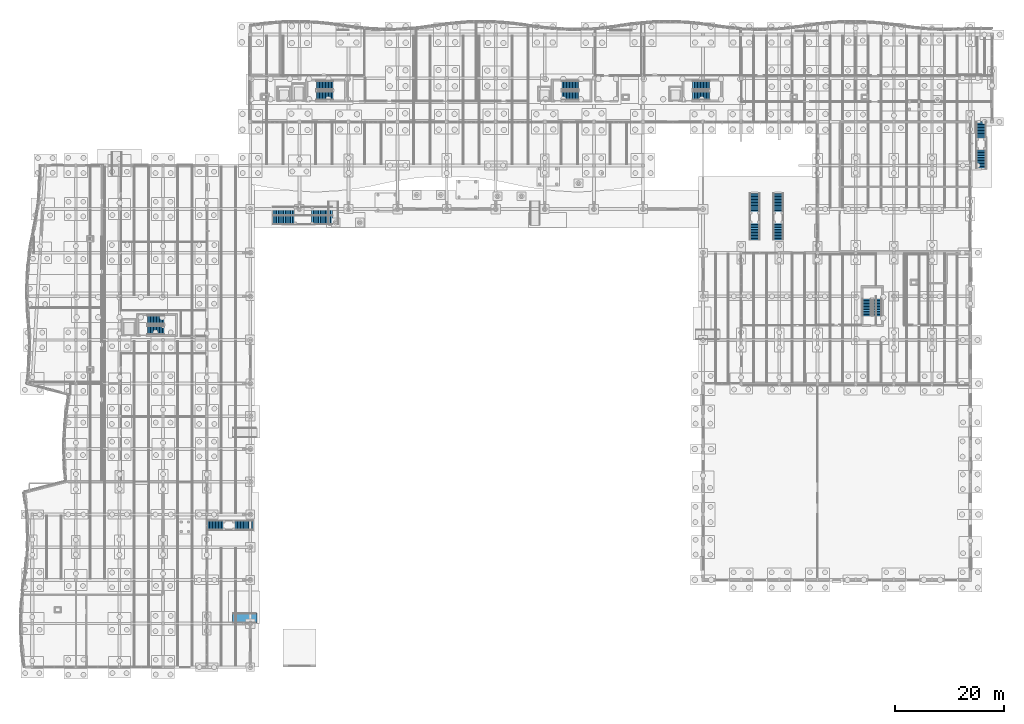
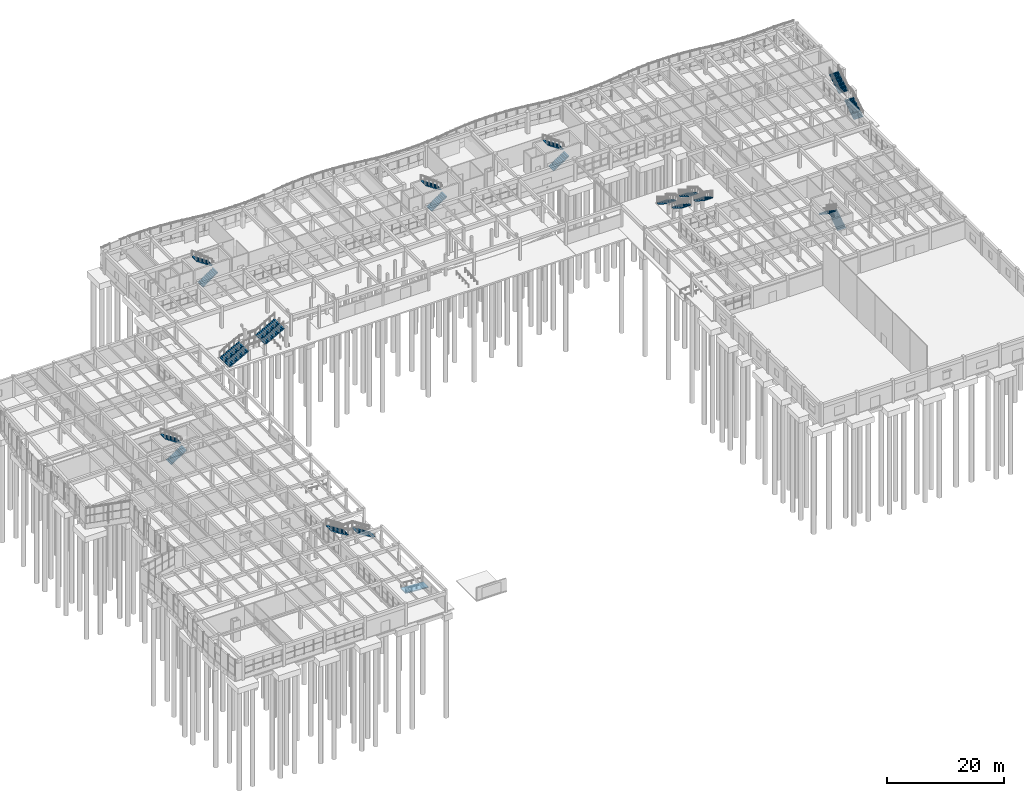
# One storey, part 72 of 99: 22 stair flights, 1 ramp flight, 11 elements without a shape of their own.
"""IFC4 building model written with IfcOpenShell, lengths in metres."""

from ifc_helpers import new_model, si_unit, direction, frame, origin, place, context, subcontext, project, spatial, polyline, outline, extrude, material, layer, layer_set, type_object, element, aggregate, save


model = new_model("IFC4")

# Units and contexts
model_context = context("Model", 3, precision=1e-05, world=origin(), true_north=direction((0.0, 1.0)))
body_context = subcontext(model_context, "Body", "Model", "MODEL_VIEW")
ifc_project = project(units=[si_unit("LENGTHUNIT", "METRE"), si_unit("AREAUNIT", "SQUARE_METRE"), si_unit("VOLUMEUNIT", "CUBIC_METRE"), si_unit("PLANEANGLEUNIT", "RADIAN"), si_unit("MASSUNIT", "GRAM", prefix="KILO")], contexts=[model_context])

# Site, building, storey
site_placement = place(None, origin())
site = spatial("IfcSite", under=ifc_project, at=site_placement, CompositionType="ELEMENT")
building_placement = place(site_placement, origin())
building = spatial("IfcBuilding", under=site, at=building_placement, Name="Tonlespit Floodbar School", CompositionType="ELEMENT")
storey_placement = place(building_placement, origin())
storey = spatial("IfcBuildingStorey", under=building, at=storey_placement, Name="L00", CompositionType="ELEMENT", Elevation=0.0)

# Stair, stair flights
ifc_material_1 = material(Name="Concrete C40/50", Category="concrete")
stair_type_1 = type_object("IfcStairType", Name="Stair_Core_L00", PredefinedType="HALF_TURN_STAIR", material=ifc_material_1)
stair_1_placement = place(storey_placement, origin())
stair_1 = element("IfcStair", 1, at=stair_1_placement, inside=storey, type_object=stair_type_1, Name="L00 Core C1 escape stair", PredefinedType="HALF_TURN_STAIR")
stair_flight_type_1 = type_object("IfcStairFlightType", Name="Flight_Core_L00", PredefinedType="STRAIGHT", material=ifc_material_1)
stair_flight_1_placement = place(storey_placement, frame((56.1201171875, 108.81005859375, 0.0), z_axis=(0.0, 0.0, 1.0), x_axis=(1.0, 0.0, 0.0)))
stair_flight_1 = element("IfcStairFlight", 2, at=stair_flight_1_placement, type_object=stair_flight_type_1, Name="ST-C1 flight 1", NumberOfRisers=12, NumberOfTreads=11, PredefinedType="STRAIGHT", RiserHeight=0.1875, TreadLength=0.28, context=body_context, shape_type="SweptSolid", body=[
    extrude(outline(polyline([(0.0, 0.0), (0.0, 0.1875), (0.280029296875, 0.1875), (0.280029296875, 0.375), (0.56005859375, 0.375), (0.56005859375, 0.5625), (0.840087890625, 0.5625), (0.840087890625, 0.75), (1.1201171875, 0.75), (1.1201171875, 0.9375), (1.39990234375, 0.9375), (1.39990234375, 1.125), (1.679931640625, 1.125), (1.679931640625, 1.3125), (1.9599609375, 1.3125), (1.9599609375, 1.5), (2.239990234375, 1.5), (2.239990234375, 1.6875), (2.52001953125, 1.6875), (2.52001953125, 1.875), (2.800048828125, 1.875), (2.800048828125, 2.0625), (3.080078125, 2.0625), (3.080078125, 2.25), (3.080078125, 1.882080078125), (0.26953125, 0.0), (0.0, 0.0)])), frame((0.0, 0.81005859375, 0.0), z_axis=(0.0, -1.0, 0.0), x_axis=(1.0, 0.0, 0.0)), (0.0, 0.0, 1.0), 1.6201171875),
])
stair_flight_2_placement = place(storey_placement, frame((59.199951171875, 110.72998046875, 2.25), z_axis=(0.0, 0.0, 1.0), x_axis=(-1.0, 0.0, 0.0)))
stair_flight_2 = element("IfcStairFlight", 3, at=stair_flight_2_placement, type_object=stair_flight_type_1, Name="ST-C1 flight 2", NumberOfRisers=12, NumberOfTreads=11, PredefinedType="STRAIGHT", RiserHeight=0.1875, TreadLength=0.28, context=body_context, shape_type="SweptSolid", body=[
    extrude(outline(polyline([(0.0, 0.0), (0.0, 0.1875), (0.280029296875, 0.1875), (0.280029296875, 0.375), (0.56005859375, 0.375), (0.56005859375, 0.5625), (0.840087890625, 0.5625), (0.840087890625, 0.75), (1.1201171875, 0.75), (1.1201171875, 0.9375), (1.39990234375, 0.9375), (1.39990234375, 1.125), (1.679931640625, 1.125), (1.679931640625, 1.3125), (1.9599609375, 1.3125), (1.9599609375, 1.5), (2.239990234375, 1.5), (2.239990234375, 1.6875), (2.52001953125, 1.6875), (2.52001953125, 1.875), (2.800048828125, 1.875), (2.800048828125, 2.0625), (3.080078125, 2.0625), (3.080078125, 2.25), (3.080078125, 1.882080078125), (0.26953125, 0.0), (0.0, 0.0)])), frame((0.0, 0.81005859375, 0.0), z_axis=(0.0, -1.0, 0.0), x_axis=(1.0, 0.0, 0.0)), (0.0, 0.0, 1.0), 1.6201171875),
])
aggregate(stair_1, [stair_flight_1, stair_flight_2])

stair_2_placement = place(storey_placement, origin())
stair_2 = element("IfcStair", 4, at=stair_2_placement, inside=storey, type_object=stair_type_1, Name="L00 Core C2 escape stair", PredefinedType="HALF_TURN_STAIR")
stair_flight_3_placement = place(storey_placement, frame((101.1201171875, 108.81005859375, 0.0), z_axis=(0.0, 0.0, 1.0), x_axis=(1.0, 0.0, 0.0)))
stair_flight_3 = element("IfcStairFlight", 5, at=stair_flight_3_placement, type_object=stair_flight_type_1, Name="ST-C2 flight 1", NumberOfRisers=12, NumberOfTreads=11, PredefinedType="STRAIGHT", RiserHeight=0.1875, TreadLength=0.28, context=body_context, shape_type="SweptSolid", body=[
    extrude(outline(polyline([(0.0, 0.0), (0.0, 0.1875), (0.280029296875, 0.1875), (0.280029296875, 0.375), (0.56005859375, 0.375), (0.56005859375, 0.5625), (0.840087890625, 0.5625), (0.840087890625, 0.75), (1.1201171875, 0.75), (1.1201171875, 0.9375), (1.39990234375, 0.9375), (1.39990234375, 1.125), (1.679931640625, 1.125), (1.679931640625, 1.3125), (1.9599609375, 1.3125), (1.9599609375, 1.5), (2.239990234375, 1.5), (2.239990234375, 1.6875), (2.52001953125, 1.6875), (2.52001953125, 1.875), (2.800048828125, 1.875), (2.800048828125, 2.0625), (3.080078125, 2.0625), (3.080078125, 2.25), (3.080078125, 1.882080078125), (0.26953125, 0.0), (0.0, 0.0)])), frame((0.0, 0.81005859375, 0.0), z_axis=(0.0, -1.0, 0.0), x_axis=(1.0, 0.0, 0.0)), (0.0, 0.0, 1.0), 1.6201171875),
])
stair_flight_4_placement = place(storey_placement, frame((104.199951171875, 110.72998046875, 2.25), z_axis=(0.0, 0.0, 1.0), x_axis=(-1.0, 0.0, 0.0)))
stair_flight_4 = element("IfcStairFlight", 6, at=stair_flight_4_placement, type_object=stair_flight_type_1, Name="ST-C2 flight 2", NumberOfRisers=12, NumberOfTreads=11, PredefinedType="STRAIGHT", RiserHeight=0.1875, TreadLength=0.28, context=body_context, shape_type="SweptSolid", body=[
    extrude(outline(polyline([(0.0, 0.0), (0.0, 0.1875), (0.280029296875, 0.1875), (0.280029296875, 0.375), (0.56005859375, 0.375), (0.56005859375, 0.5625), (0.840087890625, 0.5625), (0.840087890625, 0.75), (1.1201171875, 0.75), (1.1201171875, 0.9375), (1.39990234375, 0.9375), (1.39990234375, 1.125), (1.679931640625, 1.125), (1.679931640625, 1.3125), (1.9599609375, 1.3125), (1.9599609375, 1.5), (2.239990234375, 1.5), (2.239990234375, 1.6875), (2.52001953125, 1.6875), (2.52001953125, 1.875), (2.800048828125, 1.875), (2.800048828125, 2.0625), (3.080078125, 2.0625), (3.080078125, 2.25), (3.080078125, 1.882080078125), (0.26953125, 0.0), (0.0, 0.0)])), frame((0.0, 0.81005859375, 0.0), z_axis=(0.0, -1.0, 0.0), x_axis=(1.0, 0.0, 0.0)), (0.0, 0.0, 1.0), 1.6201171875),
])
aggregate(stair_2, [stair_flight_3, stair_flight_4])

stair_3_placement = place(storey_placement, origin())
stair_3 = element("IfcStair", 7, at=stair_3_placement, inside=storey, type_object=stair_type_1, Name="L00 Core C3 escape stair", PredefinedType="HALF_TURN_STAIR")
stair_flight_5_placement = place(storey_placement, frame((25.1201171875, 65.81005859375, 0.0), z_axis=(0.0, 0.0, 1.0), x_axis=(1.0, 0.0, 0.0)))
stair_flight_5 = element("IfcStairFlight", 8, at=stair_flight_5_placement, type_object=stair_flight_type_1, Name="ST-C3 flight 1", NumberOfRisers=12, NumberOfTreads=11, PredefinedType="STRAIGHT", RiserHeight=0.1875, TreadLength=0.28, context=body_context, shape_type="SweptSolid", body=[
    extrude(outline(polyline([(0.0, 0.0), (0.0, 0.1875), (0.280029296875, 0.1875), (0.280029296875, 0.375), (0.56005859375, 0.375), (0.56005859375, 0.5625), (0.840087890625, 0.5625), (0.840087890625, 0.75), (1.1201171875, 0.75), (1.1201171875, 0.9375), (1.39990234375, 0.9375), (1.39990234375, 1.125), (1.679931640625, 1.125), (1.679931640625, 1.3125), (1.9599609375, 1.3125), (1.9599609375, 1.5), (2.239990234375, 1.5), (2.239990234375, 1.6875), (2.52001953125, 1.6875), (2.52001953125, 1.875), (2.800048828125, 1.875), (2.800048828125, 2.0625), (3.080078125, 2.0625), (3.080078125, 2.25), (3.080078125, 1.882080078125), (0.26953125, 0.0), (0.0, 0.0)])), frame((0.0, 0.81005859375, 0.0), z_axis=(0.0, -1.0, 0.0), x_axis=(1.0, 0.0, 0.0)), (0.0, 0.0, 1.0), 1.6201171875),
])
stair_flight_6_placement = place(storey_placement, frame((28.199951171875, 67.72998046875, 2.25), z_axis=(0.0, 0.0, 1.0), x_axis=(-1.0, 0.0, 0.0)))
stair_flight_6 = element("IfcStairFlight", 9, at=stair_flight_6_placement, type_object=stair_flight_type_1, Name="ST-C3 flight 2", NumberOfRisers=12, NumberOfTreads=11, PredefinedType="STRAIGHT", RiserHeight=0.1875, TreadLength=0.28, context=body_context, shape_type="SweptSolid", body=[
    extrude(outline(polyline([(0.0, 0.0), (0.0, 0.1875), (0.280029296875, 0.1875), (0.280029296875, 0.375), (0.56005859375, 0.375), (0.56005859375, 0.5625), (0.840087890625, 0.5625), (0.840087890625, 0.75), (1.1201171875, 0.75), (1.1201171875, 0.9375), (1.39990234375, 0.9375), (1.39990234375, 1.125), (1.679931640625, 1.125), (1.679931640625, 1.3125), (1.9599609375, 1.3125), (1.9599609375, 1.5), (2.239990234375, 1.5), (2.239990234375, 1.6875), (2.52001953125, 1.6875), (2.52001953125, 1.875), (2.800048828125, 1.875), (2.800048828125, 2.0625), (3.080078125, 2.0625), (3.080078125, 2.25), (3.080078125, 1.882080078125), (0.26953125, 0.0), (0.0, 0.0)])), frame((0.0, 0.81005859375, 0.0), z_axis=(0.0, -1.0, 0.0), x_axis=(1.0, 0.0, 0.0)), (0.0, 0.0, 1.0), 1.6201171875),
])
aggregate(stair_3, [stair_flight_5, stair_flight_6])

stair_4_placement = place(storey_placement, origin())
stair_4 = element("IfcStair", 10, at=stair_4_placement, inside=storey, type_object=stair_type_1, Name="L00 Core C4 escape stair", PredefinedType="HALF_TURN_STAIR")
stair_flight_7_placement = place(storey_placement, frame((125.1201171875, 108.81005859375, 0.0), z_axis=(0.0, 0.0, 1.0), x_axis=(1.0, 0.0, 0.0)))
stair_flight_7 = element("IfcStairFlight", 11, at=stair_flight_7_placement, type_object=stair_flight_type_1, Name="ST-C4 flight 1", NumberOfRisers=12, NumberOfTreads=11, PredefinedType="STRAIGHT", RiserHeight=0.1875, TreadLength=0.28, context=body_context, shape_type="SweptSolid", body=[
    extrude(outline(polyline([(0.0, 0.0), (0.0, 0.1875), (0.280029296875, 0.1875), (0.280029296875, 0.375), (0.56005859375, 0.375), (0.56005859375, 0.5625), (0.840087890625, 0.5625), (0.840087890625, 0.75), (1.1201171875, 0.75), (1.1201171875, 0.9375), (1.39990234375, 0.9375), (1.39990234375, 1.125), (1.679931640625, 1.125), (1.679931640625, 1.3125), (1.9599609375, 1.3125), (1.9599609375, 1.5), (2.239990234375, 1.5), (2.239990234375, 1.6875), (2.52001953125, 1.6875), (2.52001953125, 1.875), (2.800048828125, 1.875), (2.800048828125, 2.0625), (3.080078125, 2.0625), (3.080078125, 2.25), (3.080078125, 1.882080078125), (0.26953125, 0.0), (0.0, 0.0)])), frame((0.0, 0.81005859375, 0.0), z_axis=(0.0, -1.0, 0.0), x_axis=(1.0, 0.0, 0.0)), (0.0, 0.0, 1.0), 1.6201171875),
])
stair_flight_8_placement = place(storey_placement, frame((128.199951171875, 110.72998046875, 2.25), z_axis=(0.0, 0.0, 1.0), x_axis=(-1.0, 0.0, 0.0)))
stair_flight_8 = element("IfcStairFlight", 12, at=stair_flight_8_placement, type_object=stair_flight_type_1, Name="ST-C4 flight 2", NumberOfRisers=12, NumberOfTreads=11, PredefinedType="STRAIGHT", RiserHeight=0.1875, TreadLength=0.28, context=body_context, shape_type="SweptSolid", body=[
    extrude(outline(polyline([(0.0, 0.0), (0.0, 0.1875), (0.280029296875, 0.1875), (0.280029296875, 0.375), (0.56005859375, 0.375), (0.56005859375, 0.5625), (0.840087890625, 0.5625), (0.840087890625, 0.75), (1.1201171875, 0.75), (1.1201171875, 0.9375), (1.39990234375, 0.9375), (1.39990234375, 1.125), (1.679931640625, 1.125), (1.679931640625, 1.3125), (1.9599609375, 1.3125), (1.9599609375, 1.5), (2.239990234375, 1.5), (2.239990234375, 1.6875), (2.52001953125, 1.6875), (2.52001953125, 1.875), (2.800048828125, 1.875), (2.800048828125, 2.0625), (3.080078125, 2.0625), (3.080078125, 2.25), (3.080078125, 1.882080078125), (0.26953125, 0.0), (0.0, 0.0)])), frame((0.0, 0.81005859375, 0.0), z_axis=(0.0, -1.0, 0.0), x_axis=(1.0, 0.0, 0.0)), (0.0, 0.0, 1.0), 1.6201171875),
])
aggregate(stair_4, [stair_flight_7, stair_flight_8])

stair_5_placement = place(storey_placement, origin())
stair_5 = element("IfcStair", 13, at=stair_5_placement, inside=storey, type_object=stair_type_1, Name="L00 Core C5 escape stair", PredefinedType="HALF_TURN_STAIR")
stair_flight_9_placement = place(storey_placement, frame((158.989990234375, 68.419921875, 0.0), z_axis=(0.0, 0.0, 1.0), x_axis=(0.0, 1.0, 0.0)))
stair_flight_9 = element("IfcStairFlight", 14, at=stair_flight_9_placement, type_object=stair_flight_type_1, Name="ST-C5 flight 1", NumberOfRisers=12, NumberOfTreads=11, PredefinedType="STRAIGHT", RiserHeight=0.1875, TreadLength=0.28, context=body_context, shape_type="SweptSolid", body=[
    extrude(outline(polyline([(0.0, 0.0), (0.0, 0.1875), (0.280029296875, 0.1875), (0.280029296875, 0.375), (0.56005859375, 0.375), (0.56005859375, 0.5625), (0.840087890625, 0.5625), (0.840087890625, 0.75), (1.1201171875, 0.75), (1.1201171875, 0.9375), (1.39990234375, 0.9375), (1.39990234375, 1.125), (1.679931640625, 1.125), (1.679931640625, 1.3125), (1.9599609375, 1.3125), (1.9599609375, 1.5), (2.239990234375, 1.5), (2.239990234375, 1.6875), (2.52001953125, 1.6875), (2.52001953125, 1.875), (2.800048828125, 1.875), (2.800048828125, 2.0625), (3.080078125, 2.0625), (3.080078125, 2.25), (3.080078125, 1.882080078125), (0.26953125, 0.0), (0.0, 0.0)])), frame((0.0, 0.81005859375, 0.0), z_axis=(0.0, -1.0, 0.0), x_axis=(1.0, 0.0, 0.0)), (0.0, 0.0, 1.0), 1.6201171875),
])
stair_flight_10_placement = place(storey_placement, frame((157.070068359375, 71.5, 2.25), z_axis=(0.0, 0.0, 1.0), x_axis=(0.0, -1.0, 0.0)))
stair_flight_10 = element("IfcStairFlight", 15, at=stair_flight_10_placement, type_object=stair_flight_type_1, Name="ST-C5 flight 2", NumberOfRisers=12, NumberOfTreads=11, PredefinedType="STRAIGHT", RiserHeight=0.1875, TreadLength=0.28, context=body_context, shape_type="SweptSolid", body=[
    extrude(outline(polyline([(0.0, 0.0), (0.0, 0.1875), (0.280029296875, 0.1875), (0.280029296875, 0.375), (0.56005859375, 0.375), (0.56005859375, 0.5625), (0.840087890625, 0.5625), (0.840087890625, 0.75), (1.1201171875, 0.75), (1.1201171875, 0.9375), (1.39990234375, 0.9375), (1.39990234375, 1.125), (1.679931640625, 1.125), (1.679931640625, 1.3125), (1.9599609375, 1.3125), (1.9599609375, 1.5), (2.239990234375, 1.5), (2.239990234375, 1.6875), (2.52001953125, 1.6875), (2.52001953125, 1.875), (2.800048828125, 1.875), (2.800048828125, 2.0625), (3.080078125, 2.0625), (3.080078125, 2.25), (3.080078125, 1.882080078125), (0.26953125, 0.0), (0.0, 0.0)])), frame((0.0, 0.81005859375, 0.0), z_axis=(0.0, -1.0, 0.0), x_axis=(1.0, 0.0, 0.0)), (0.0, 0.0, 1.0), 1.6201171875),
])
aggregate(stair_5, [stair_flight_9, stair_flight_10])

ifc_material_2 = material(Name="White Architectural Precast concrete C40/50", Category="concrete")
stair_type_2 = type_object("IfcStairType", Name="Stair_Court_3200_L00", PredefinedType="STRAIGHT_RUN_STAIR", material=ifc_material_2)
stair_6_placement = place(storey_placement, origin())
stair_6 = element("IfcStair", 16, at=stair_6_placement, inside=storey, type_object=stair_type_2, Name="L00 stair ST-CT1", PredefinedType="STRAIGHT_RUN_STAIR")
stair_flight_type_2 = type_object("IfcStairFlightType", Name="Flight_Court_1540", PredefinedType="STRAIGHT", material=ifc_material_2)
stair_flight_11_placement = place(storey_placement, frame((48.179931640625, 85.969970703125, 0.0), z_axis=(0.0, 0.0, 1.0), x_axis=(1.0, 0.0, 0.0)))
stair_flight_11 = element("IfcStairFlight", 17, at=stair_flight_11_placement, type_object=stair_flight_type_2, Name="ST-CT1 flight 1", NumberOfRisers=13, NumberOfTreads=12, PredefinedType="STRAIGHT", RiserHeight=0.173076923, TreadLength=0.32, context=body_context, shape_type="SweptSolid", body=[
    extrude(outline(polyline([(0.0, 0.0), (0.0, 0.173095703125), (0.320068359375, 0.173095703125), (0.320068359375, 0.34619140625), (0.639892578125, 0.34619140625), (0.639892578125, 0.519287109375), (0.9599609375, 0.519287109375), (0.9599609375, 0.6923828125), (1.280029296875, 0.6923828125), (1.280029296875, 0.865478515625), (1.60009765625, 0.865478515625), (1.60009765625, 1.03857421875), (1.919921875, 1.03857421875), (1.919921875, 1.21142578125), (2.239990234375, 1.21142578125), (2.239990234375, 1.384521484375), (2.56005859375, 1.384521484375), (2.56005859375, 1.5576171875), (2.8798828125, 1.5576171875), (2.8798828125, 1.730712890625), (3.199951171875, 1.730712890625), (3.199951171875, 1.90380859375), (3.52001953125, 1.90380859375), (3.52001953125, 2.076904296875), (3.840087890625, 2.076904296875), (3.840087890625, 2.25), (3.840087890625, 1.849609375), (0.42041015625, 0.0), (0.0, 0.0)])), frame((0.0, 0.77001953125, 0.0), z_axis=(0.0, -1.0, 0.0), x_axis=(1.0, 0.0, 0.0)), (0.0, 0.0, 1.0), 1.5400390625),
])
stair_flight_12_placement = place(storey_placement, frame((55.219970703125, 85.969970703125, 2.25), z_axis=(0.0, 0.0, 1.0), x_axis=(1.0, 0.0, 0.0)))
stair_flight_12 = element("IfcStairFlight", 18, at=stair_flight_12_placement, type_object=stair_flight_type_2, Name="ST-CT1 flight 2", NumberOfRisers=13, NumberOfTreads=12, PredefinedType="STRAIGHT", RiserHeight=0.173076923, TreadLength=0.32, context=body_context, shape_type="SweptSolid", body=[
    extrude(outline(polyline([(0.0, 0.0), (0.0, 0.173095703125), (0.320068359375, 0.173095703125), (0.320068359375, 0.34619140625), (0.639892578125, 0.34619140625), (0.639892578125, 0.519287109375), (0.9599609375, 0.519287109375), (0.9599609375, 0.6923828125), (1.280029296875, 0.6923828125), (1.280029296875, 0.865478515625), (1.60009765625, 0.865478515625), (1.60009765625, 1.03857421875), (1.919921875, 1.03857421875), (1.919921875, 1.21142578125), (2.239990234375, 1.21142578125), (2.239990234375, 1.384521484375), (2.56005859375, 1.384521484375), (2.56005859375, 1.5576171875), (2.8798828125, 1.5576171875), (2.8798828125, 1.730712890625), (3.199951171875, 1.730712890625), (3.199951171875, 1.90380859375), (3.52001953125, 1.90380859375), (3.52001953125, 2.076904296875), (3.840087890625, 2.076904296875), (3.840087890625, 2.25), (3.840087890625, 1.849609375), (0.42041015625, 0.0), (0.0, 0.0)])), frame((0.0, 0.77001953125, 0.0), z_axis=(0.0, -1.0, 0.0), x_axis=(1.0, 0.0, 0.0)), (0.0, 0.0, 1.0), 1.5400390625),
])
stair_flight_13_placement = place(storey_placement, frame((48.179931640625, 87.6298828125, 0.0), z_axis=(0.0, 0.0, 1.0), x_axis=(1.0, 0.0, 0.0)))
stair_flight_13 = element("IfcStairFlight", 19, at=stair_flight_13_placement, type_object=stair_flight_type_2, Name="ST-CT1 flight 3", NumberOfRisers=13, NumberOfTreads=12, PredefinedType="STRAIGHT", RiserHeight=0.173076923, TreadLength=0.32, context=body_context, shape_type="SweptSolid", body=[
    extrude(outline(polyline([(0.0, 0.0), (0.0, 0.173095703125), (0.320068359375, 0.173095703125), (0.320068359375, 0.34619140625), (0.639892578125, 0.34619140625), (0.639892578125, 0.519287109375), (0.9599609375, 0.519287109375), (0.9599609375, 0.6923828125), (1.280029296875, 0.6923828125), (1.280029296875, 0.865478515625), (1.60009765625, 0.865478515625), (1.60009765625, 1.03857421875), (1.919921875, 1.03857421875), (1.919921875, 1.21142578125), (2.239990234375, 1.21142578125), (2.239990234375, 1.384521484375), (2.56005859375, 1.384521484375), (2.56005859375, 1.5576171875), (2.8798828125, 1.5576171875), (2.8798828125, 1.730712890625), (3.199951171875, 1.730712890625), (3.199951171875, 1.90380859375), (3.52001953125, 1.90380859375), (3.52001953125, 2.076904296875), (3.840087890625, 2.076904296875), (3.840087890625, 2.25), (3.840087890625, 1.849609375), (0.42041015625, 0.0), (0.0, 0.0)])), frame((0.0, 0.77001953125, 0.0), z_axis=(0.0, -1.0, 0.0), x_axis=(1.0, 0.0, 0.0)), (0.0, 0.0, 1.0), 1.5400390625),
])
stair_flight_14_placement = place(storey_placement, frame((55.219970703125, 87.6298828125, 2.25), z_axis=(0.0, 0.0, 1.0), x_axis=(1.0, 0.0, 0.0)))
stair_flight_14 = element("IfcStairFlight", 20, at=stair_flight_14_placement, type_object=stair_flight_type_2, Name="ST-CT1 flight 4", NumberOfRisers=13, NumberOfTreads=12, PredefinedType="STRAIGHT", RiserHeight=0.173076923, TreadLength=0.32, context=body_context, shape_type="SweptSolid", body=[
    extrude(outline(polyline([(0.0, 0.0), (0.0, 0.173095703125), (0.320068359375, 0.173095703125), (0.320068359375, 0.34619140625), (0.639892578125, 0.34619140625), (0.639892578125, 0.519287109375), (0.9599609375, 0.519287109375), (0.9599609375, 0.6923828125), (1.280029296875, 0.6923828125), (1.280029296875, 0.865478515625), (1.60009765625, 0.865478515625), (1.60009765625, 1.03857421875), (1.919921875, 1.03857421875), (1.919921875, 1.21142578125), (2.239990234375, 1.21142578125), (2.239990234375, 1.384521484375), (2.56005859375, 1.384521484375), (2.56005859375, 1.5576171875), (2.8798828125, 1.5576171875), (2.8798828125, 1.730712890625), (3.199951171875, 1.730712890625), (3.199951171875, 1.90380859375), (3.52001953125, 1.90380859375), (3.52001953125, 2.076904296875), (3.840087890625, 2.076904296875), (3.840087890625, 2.25), (3.840087890625, 1.849609375), (0.42041015625, 0.0), (0.0, 0.0)])), frame((0.0, 0.77001953125, 0.0), z_axis=(0.0, -1.0, 0.0), x_axis=(1.0, 0.0, 0.0)), (0.0, 0.0, 1.0), 1.5400390625),
])
aggregate(stair_6, [stair_flight_11, stair_flight_12, stair_flight_13, stair_flight_14])

ifc_material_3 = material(Name="Glulam GL28h", Category="wood")
stair_type_3 = type_object("IfcStairType", Name="Stair_Feature_1800", PredefinedType="STRAIGHT_RUN_STAIR", material=ifc_material_3)
stair_7_placement = place(storey_placement, origin())
stair_7 = element("IfcStair", 21, at=stair_7_placement, inside=storey, type_object=stair_type_3, Name="L00 stair ST-H1", PredefinedType="STRAIGHT_RUN_STAIR")
stair_flight_type_3 = type_object("IfcStairFlightType", Name="Flight_Feature_1800", PredefinedType="STRAIGHT", material=ifc_material_3)
stair_flight_15_placement = place(storey_placement, frame((136.5, 90.860107421875, 0.0), z_axis=(0.0, 0.0, 1.0), x_axis=(0.0, -1.0, 0.0)))
stair_flight_15 = element("IfcStairFlight", 22, at=stair_flight_15_placement, type_object=stair_flight_type_3, Name="ST-H1 flight 1", NumberOfRisers=13, NumberOfTreads=12, PredefinedType="STRAIGHT", RiserHeight=0.173076923, TreadLength=0.28, context=body_context, shape_type="SweptSolid", body=[
    extrude(outline(polyline([(0.0, 0.0), (0.0, 0.173095703125), (0.280029296875, 0.173095703125), (0.280029296875, 0.34619140625), (0.56005859375, 0.34619140625), (0.56005859375, 0.519287109375), (0.840087890625, 0.519287109375), (0.840087890625, 0.6923828125), (1.1201171875, 0.6923828125), (1.1201171875, 0.865478515625), (1.39990234375, 0.865478515625), (1.39990234375, 1.03857421875), (1.679931640625, 1.03857421875), (1.679931640625, 1.21142578125), (1.9599609375, 1.21142578125), (1.9599609375, 1.384521484375), (2.239990234375, 1.384521484375), (2.239990234375, 1.5576171875), (2.52001953125, 1.5576171875), (2.52001953125, 1.730712890625), (2.800048828125, 1.730712890625), (2.800048828125, 1.90380859375), (3.080078125, 1.90380859375), (3.080078125, 2.076904296875), (3.360107421875, 2.076904296875), (3.360107421875, 2.25), (3.360107421875, 1.865478515625), (0.34228515625, 0.0), (0.0, 0.0)])), frame((0.0, 0.89990234375, 0.0), z_axis=(0.0, -1.0, 0.0), x_axis=(1.0, 0.0, 0.0)), (0.0, 0.0, 1.0), 1.800048828125),
])
stair_flight_16_placement = place(storey_placement, frame((136.5, 85.699951171875, 2.25), z_axis=(0.0, 0.0, 1.0), x_axis=(0.0, -1.0, 0.0)))
stair_flight_16 = element("IfcStairFlight", 23, at=stair_flight_16_placement, type_object=stair_flight_type_3, Name="ST-H1 flight 2", NumberOfRisers=13, NumberOfTreads=12, PredefinedType="STRAIGHT", RiserHeight=0.173076923, TreadLength=0.28, context=body_context, shape_type="SweptSolid", body=[
    extrude(outline(polyline([(0.0, 0.0), (0.0, 0.173095703125), (0.280029296875, 0.173095703125), (0.280029296875, 0.34619140625), (0.56005859375, 0.34619140625), (0.56005859375, 0.519287109375), (0.840087890625, 0.519287109375), (0.840087890625, 0.6923828125), (1.1201171875, 0.6923828125), (1.1201171875, 0.865478515625), (1.39990234375, 0.865478515625), (1.39990234375, 1.03857421875), (1.679931640625, 1.03857421875), (1.679931640625, 1.21142578125), (1.9599609375, 1.21142578125), (1.9599609375, 1.384521484375), (2.239990234375, 1.384521484375), (2.239990234375, 1.5576171875), (2.52001953125, 1.5576171875), (2.52001953125, 1.730712890625), (2.800048828125, 1.730712890625), (2.800048828125, 1.90380859375), (3.080078125, 1.90380859375), (3.080078125, 2.076904296875), (3.360107421875, 2.076904296875), (3.360107421875, 2.25), (3.360107421875, 1.865478515625), (0.34228515625, 0.0), (0.0, 0.0)])), frame((0.0, 0.89990234375, 0.0), z_axis=(0.0, -1.0, 0.0), x_axis=(1.0, 0.0, 0.0)), (0.0, 0.0, 1.0), 1.800048828125),
])
aggregate(stair_7, [stair_flight_15, stair_flight_16])

stair_8_placement = place(storey_placement, origin())
stair_8 = element("IfcStair", 24, at=stair_8_placement, inside=storey, type_object=stair_type_3, Name="L00 stair ST-H2", PredefinedType="STRAIGHT_RUN_STAIR")
stair_flight_17_placement = place(storey_placement, frame((140.800048828125, 90.860107421875, 0.0), z_axis=(0.0, 0.0, 1.0), x_axis=(0.0, -1.0, 0.0)))
stair_flight_17 = element("IfcStairFlight", 25, at=stair_flight_17_placement, type_object=stair_flight_type_3, Name="ST-H2 flight 1", NumberOfRisers=13, NumberOfTreads=12, PredefinedType="STRAIGHT", RiserHeight=0.173076923, TreadLength=0.28, context=body_context, shape_type="SweptSolid", body=[
    extrude(outline(polyline([(0.0, 0.0), (0.0, 0.173095703125), (0.280029296875, 0.173095703125), (0.280029296875, 0.34619140625), (0.56005859375, 0.34619140625), (0.56005859375, 0.519287109375), (0.840087890625, 0.519287109375), (0.840087890625, 0.6923828125), (1.1201171875, 0.6923828125), (1.1201171875, 0.865478515625), (1.39990234375, 0.865478515625), (1.39990234375, 1.03857421875), (1.679931640625, 1.03857421875), (1.679931640625, 1.21142578125), (1.9599609375, 1.21142578125), (1.9599609375, 1.384521484375), (2.239990234375, 1.384521484375), (2.239990234375, 1.5576171875), (2.52001953125, 1.5576171875), (2.52001953125, 1.730712890625), (2.800048828125, 1.730712890625), (2.800048828125, 1.90380859375), (3.080078125, 1.90380859375), (3.080078125, 2.076904296875), (3.360107421875, 2.076904296875), (3.360107421875, 2.25), (3.360107421875, 1.865478515625), (0.34228515625, 0.0), (0.0, 0.0)])), frame((0.0, 0.89990234375, 0.0), z_axis=(0.0, -1.0, 0.0), x_axis=(1.0, 0.0, 0.0)), (0.0, 0.0, 1.0), 1.800048828125),
])
stair_flight_18_placement = place(storey_placement, frame((140.800048828125, 85.699951171875, 2.25), z_axis=(0.0, 0.0, 1.0), x_axis=(0.0, -1.0, 0.0)))
stair_flight_18 = element("IfcStairFlight", 26, at=stair_flight_18_placement, type_object=stair_flight_type_3, Name="ST-H2 flight 2", NumberOfRisers=13, NumberOfTreads=12, PredefinedType="STRAIGHT", RiserHeight=0.173076923, TreadLength=0.28, context=body_context, shape_type="SweptSolid", body=[
    extrude(outline(polyline([(0.0, 0.0), (0.0, 0.173095703125), (0.280029296875, 0.173095703125), (0.280029296875, 0.34619140625), (0.56005859375, 0.34619140625), (0.56005859375, 0.519287109375), (0.840087890625, 0.519287109375), (0.840087890625, 0.6923828125), (1.1201171875, 0.6923828125), (1.1201171875, 0.865478515625), (1.39990234375, 0.865478515625), (1.39990234375, 1.03857421875), (1.679931640625, 1.03857421875), (1.679931640625, 1.21142578125), (1.9599609375, 1.21142578125), (1.9599609375, 1.384521484375), (2.239990234375, 1.384521484375), (2.239990234375, 1.5576171875), (2.52001953125, 1.5576171875), (2.52001953125, 1.730712890625), (2.800048828125, 1.730712890625), (2.800048828125, 1.90380859375), (3.080078125, 1.90380859375), (3.080078125, 2.076904296875), (3.360107421875, 2.076904296875), (3.360107421875, 2.25), (3.360107421875, 1.865478515625), (0.34228515625, 0.0), (0.0, 0.0)])), frame((0.0, 0.89990234375, 0.0), z_axis=(0.0, -1.0, 0.0), x_axis=(1.0, 0.0, 0.0)), (0.0, 0.0, 1.0), 1.800048828125),
])
aggregate(stair_8, [stair_flight_17, stair_flight_18])

stair_9_placement = place(storey_placement, origin())
stair_9 = element("IfcStair", 27, at=stair_9_placement, inside=storey, type_object=stair_type_3, Name="L00 stair ST-L1", PredefinedType="STRAIGHT_RUN_STAIR")
stair_flight_19_placement = place(storey_placement, frame((178.0, 95.5400390625, 0.0), z_axis=(0.0, 0.0, 1.0), x_axis=(0.0, 1.0, 0.0)))
stair_flight_19 = element("IfcStairFlight", 28, at=stair_flight_19_placement, type_object=stair_flight_type_3, Name="ST-L1 flight 1", NumberOfRisers=13, NumberOfTreads=12, PredefinedType="STRAIGHT", RiserHeight=0.173076923, TreadLength=0.28, context=body_context, shape_type="SweptSolid", body=[
    extrude(outline(polyline([(0.0, 0.0), (0.0, 0.173095703125), (0.280029296875, 0.173095703125), (0.280029296875, 0.34619140625), (0.56005859375, 0.34619140625), (0.56005859375, 0.519287109375), (0.840087890625, 0.519287109375), (0.840087890625, 0.6923828125), (1.1201171875, 0.6923828125), (1.1201171875, 0.865478515625), (1.39990234375, 0.865478515625), (1.39990234375, 1.03857421875), (1.679931640625, 1.03857421875), (1.679931640625, 1.21142578125), (1.9599609375, 1.21142578125), (1.9599609375, 1.384521484375), (2.239990234375, 1.384521484375), (2.239990234375, 1.5576171875), (2.52001953125, 1.5576171875), (2.52001953125, 1.730712890625), (2.800048828125, 1.730712890625), (2.800048828125, 1.90380859375), (3.080078125, 1.90380859375), (3.080078125, 2.076904296875), (3.360107421875, 2.076904296875), (3.360107421875, 2.25), (3.360107421875, 1.865478515625), (0.34228515625, 0.0), (0.0, 0.0)])), frame((0.0, 0.89990234375, 0.0), z_axis=(0.0, -1.0, 0.0), x_axis=(1.0, 0.0, 0.0)), (0.0, 0.0, 1.0), 1.800048828125),
])
stair_flight_20_placement = place(storey_placement, frame((178.0, 100.699951171875, 2.25), z_axis=(0.0, 0.0, 1.0), x_axis=(0.0, 1.0, 0.0)))
stair_flight_20 = element("IfcStairFlight", 29, at=stair_flight_20_placement, type_object=stair_flight_type_3, Name="ST-L1 flight 2", NumberOfRisers=13, NumberOfTreads=12, PredefinedType="STRAIGHT", RiserHeight=0.173076923, TreadLength=0.28, context=body_context, shape_type="SweptSolid", body=[
    extrude(outline(polyline([(0.0, 0.0), (0.0, 0.173095703125), (0.280029296875, 0.173095703125), (0.280029296875, 0.34619140625), (0.56005859375, 0.34619140625), (0.56005859375, 0.519287109375), (0.840087890625, 0.519287109375), (0.840087890625, 0.6923828125), (1.1201171875, 0.6923828125), (1.1201171875, 0.865478515625), (1.39990234375, 0.865478515625), (1.39990234375, 1.03857421875), (1.679931640625, 1.03857421875), (1.679931640625, 1.21142578125), (1.9599609375, 1.21142578125), (1.9599609375, 1.384521484375), (2.239990234375, 1.384521484375), (2.239990234375, 1.5576171875), (2.52001953125, 1.5576171875), (2.52001953125, 1.730712890625), (2.800048828125, 1.730712890625), (2.800048828125, 1.90380859375), (3.080078125, 1.90380859375), (3.080078125, 2.076904296875), (3.360107421875, 2.076904296875), (3.360107421875, 2.25), (3.360107421875, 1.865478515625), (0.34228515625, 0.0), (0.0, 0.0)])), frame((0.0, 0.89990234375, 0.0), z_axis=(0.0, -1.0, 0.0), x_axis=(1.0, 0.0, 0.0)), (0.0, 0.0, 1.0), 1.800048828125),
])
aggregate(stair_9, [stair_flight_19, stair_flight_20])

stair_10_placement = place(storey_placement, origin())
stair_10 = element("IfcStair", 30, at=stair_10_placement, inside=storey, type_object=stair_type_3, Name="L00 stair ST-D1", PredefinedType="STRAIGHT_RUN_STAIR")
stair_flight_21_placement = place(storey_placement, frame((44.4599609375, 30.0, 0.0), z_axis=(0.0, 0.0, 1.0), x_axis=(-1.0, 0.0, 0.0)))
stair_flight_21 = element("IfcStairFlight", 31, at=stair_flight_21_placement, type_object=stair_flight_type_3, Name="ST-D1 flight 1", NumberOfRisers=13, NumberOfTreads=12, PredefinedType="STRAIGHT", RiserHeight=0.173076923, TreadLength=0.28, context=body_context, shape_type="SweptSolid", body=[
    extrude(outline(polyline([(0.0, 0.0), (0.0, 0.173095703125), (0.280029296875, 0.173095703125), (0.280029296875, 0.34619140625), (0.56005859375, 0.34619140625), (0.56005859375, 0.519287109375), (0.840087890625, 0.519287109375), (0.840087890625, 0.6923828125), (1.1201171875, 0.6923828125), (1.1201171875, 0.865478515625), (1.39990234375, 0.865478515625), (1.39990234375, 1.03857421875), (1.679931640625, 1.03857421875), (1.679931640625, 1.21142578125), (1.9599609375, 1.21142578125), (1.9599609375, 1.384521484375), (2.239990234375, 1.384521484375), (2.239990234375, 1.5576171875), (2.52001953125, 1.5576171875), (2.52001953125, 1.730712890625), (2.800048828125, 1.730712890625), (2.800048828125, 1.90380859375), (3.080078125, 1.90380859375), (3.080078125, 2.076904296875), (3.360107421875, 2.076904296875), (3.360107421875, 2.25), (3.360107421875, 1.865478515625), (0.34228515625, 0.0), (0.0, 0.0)])), frame((0.0, 0.89990234375, 0.0), z_axis=(0.0, -1.0, 0.0), x_axis=(1.0, 0.0, 0.0)), (0.0, 0.0, 1.0), 1.800048828125),
])
stair_flight_22_placement = place(storey_placement, frame((39.300048828125, 30.0, 2.25), z_axis=(0.0, 0.0, 1.0), x_axis=(-1.0, 0.0, 0.0)))
stair_flight_22 = element("IfcStairFlight", 32, at=stair_flight_22_placement, type_object=stair_flight_type_3, Name="ST-D1 flight 2", NumberOfRisers=13, NumberOfTreads=12, PredefinedType="STRAIGHT", RiserHeight=0.173076923, TreadLength=0.28, context=body_context, shape_type="SweptSolid", body=[
    extrude(outline(polyline([(0.0, 0.0), (0.0, 0.173095703125), (0.280029296875, 0.173095703125), (0.280029296875, 0.34619140625), (0.56005859375, 0.34619140625), (0.56005859375, 0.519287109375), (0.840087890625, 0.519287109375), (0.840087890625, 0.6923828125), (1.1201171875, 0.6923828125), (1.1201171875, 0.865478515625), (1.39990234375, 0.865478515625), (1.39990234375, 1.03857421875), (1.679931640625, 1.03857421875), (1.679931640625, 1.21142578125), (1.9599609375, 1.21142578125), (1.9599609375, 1.384521484375), (2.239990234375, 1.384521484375), (2.239990234375, 1.5576171875), (2.52001953125, 1.5576171875), (2.52001953125, 1.730712890625), (2.800048828125, 1.730712890625), (2.800048828125, 1.90380859375), (3.080078125, 1.90380859375), (3.080078125, 2.076904296875), (3.360107421875, 2.076904296875), (3.360107421875, 2.25), (3.360107421875, 1.865478515625), (0.34228515625, 0.0), (0.0, 0.0)])), frame((0.0, 0.89990234375, 0.0), z_axis=(0.0, -1.0, 0.0), x_axis=(1.0, 0.0, 0.0)), (0.0, 0.0, 1.0), 1.800048828125),
])
aggregate(stair_10, [stair_flight_21, stair_flight_22])

# Ramp, ramp flight
ramp_type = type_object("IfcRampType", Name="Ramp_Accessible_1to15", PredefinedType="USERDEFINED", material=ifc_material_1)
ramp_placement = place(storey_placement, origin())
ramp = element("IfcRamp", 33, at=ramp_placement, inside=storey, type_object=ramp_type, Name="Accessible 1:15 entrance ramp RMP-W1", ObjectType="ACCESSIBLE RAMP", PredefinedType="USERDEFINED")
ifc_layer = layer(ifc_material_1, 0.199951171875)
ifc_layer_set = layer_set([ifc_layer], Name="Concrete C40/50")
ramp_flight_type = type_object("IfcRampFlightType", Name="RampFlight_RC_200", PredefinedType="STRAIGHT", material=ifc_layer_set)
ramp_flight_placement = place(storey_placement, frame((45.199951171875, 13.0, -0.300048828125), z_axis=(0.0, 0.0, 1.0), x_axis=(-1.0, 0.0, 0.0)))
ramp_flight = element("IfcRampFlight", 34, at=ramp_flight_placement, type_object=ramp_flight_type, Name="Accessible ramp flight RMP-W1", PredefinedType="STRAIGHT", context=body_context, shape_type="SweptSolid", body=[
    extrude(outline(polyline([(0.0, 0.0), (0.0, -0.199951171875), (4.5, 0.10009765625), (4.5, 0.300048828125), (0.0, 0.0)])), frame((0.0, 0.89990234375, 0.0), z_axis=(0.0, -1.0, 0.0), x_axis=(1.0, 0.0, 0.0)), (0.0, 0.0, 1.0), 1.800048828125),
])
aggregate(ramp, [ramp_flight])

save(model, "model.ifc")
